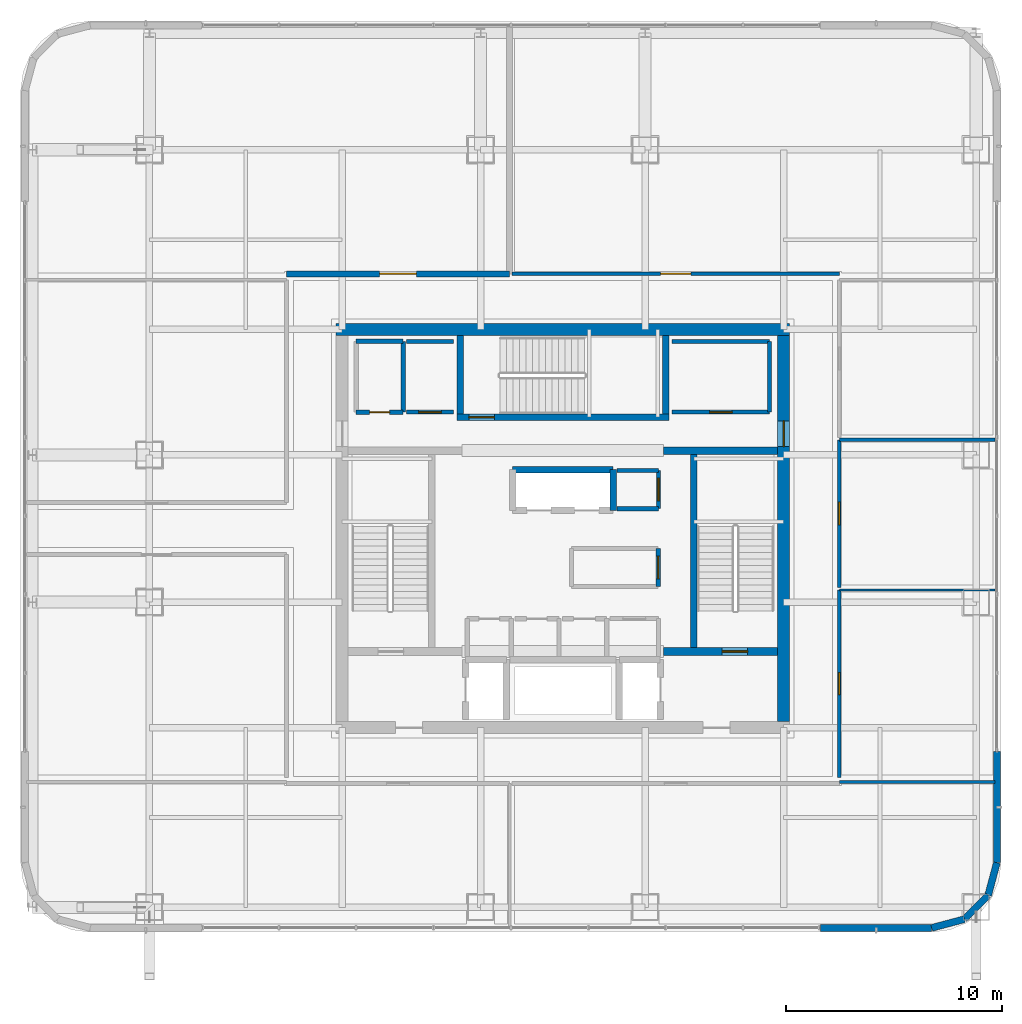
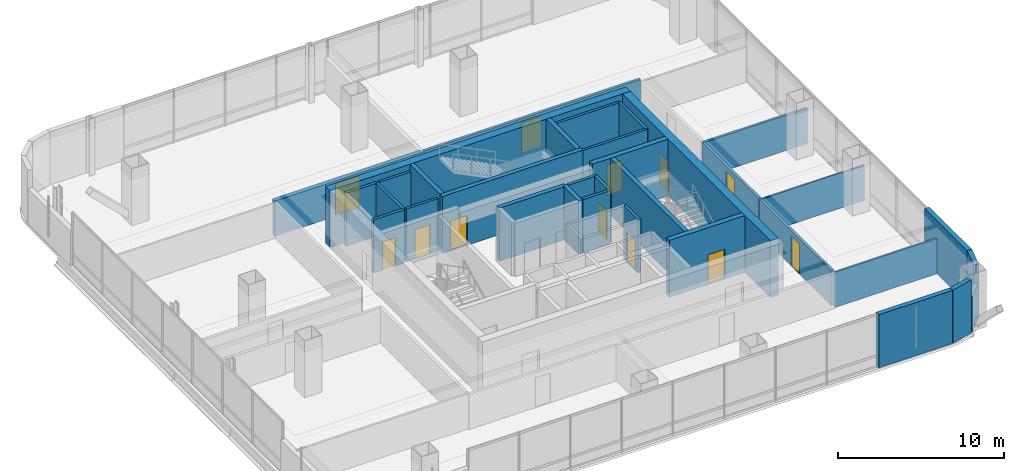
# One storey, part 35 of 51: 34 walls, 12 doors, 12 openings.
"""IFC4 building model written with IfcOpenShell, lengths in metres."""

from ifc_helpers import new_model, si_unit, direction, frame, frame_2d, origin, place, context, subcontext, project, spatial, rectangle, extrude, material, layer, layer_set, type_object, element, fill, save


model = new_model("IFC4")

# Units and contexts
model_context = context("Model", 3, precision=1e-05, world=origin(), true_north=direction((0.0, 1.0)))
body_context = subcontext(model_context, "Body", "Model", "MODEL_VIEW")
ifc_project = project(units=[si_unit("LENGTHUNIT", "METRE"), si_unit("AREAUNIT", "SQUARE_METRE"), si_unit("VOLUMEUNIT", "CUBIC_METRE"), si_unit("PLANEANGLEUNIT", "RADIAN"), si_unit("MASSUNIT", "GRAM", prefix="KILO")], contexts=[model_context])

# Site, building, storey
site_placement = place(None, origin())
site = spatial("IfcSite", under=ifc_project, at=site_placement, CompositionType="ELEMENT")
building_placement = place(site_placement, origin())
building = spatial("IfcBuilding", under=site, at=building_placement, Name="Punatoya Terracotta Tower", CompositionType="ELEMENT")
storey_placement = place(building_placement, frame((0.0, 0.0, 313.199951171875)))
storey = spatial("IfcBuildingStorey", under=building, at=storey_placement, Name="L74", CompositionType="ELEMENT", Elevation=313.199951171875)

# Wall, opening, door
ifc_material_1 = material(Name="Concrete C40/50", Category="concrete")
ifc_layer_1 = layer(ifc_material_1, 0.280029296875)
ifc_layer_set_1 = layer_set([ifc_layer_1], Name="Concrete C40/50")
wall_type_1 = type_object("IfcWallType", Name="WL-AUD-280", PredefinedType="SOLIDWALL", material=ifc_layer_set_1)
wall_1_placement = place(storey_placement, frame((-2.4599609375, 11.77001953125, 0.0), z_axis=(0.0, 0.0, 1.0), x_axis=(-1.0, 0.0, 0.0)))
wall_1 = element("IfcWall", 1, at=wall_1_placement, inside=storey, type_object=wall_type_1, Name="L74 Fitness Movement Lounge Partition 43", PredefinedType="SOLIDWALL", context=body_context, shape_type="SweptSolid", body=[
    extrude(rectangle(XDim=10.31005859375, YDim=0.280029296875, at=frame_2d((5.155029296875, 0.0))), origin(), (0.0, 0.0, 1.0), 2.593994140625),
])
opening_1_placement = place(wall_1_placement, frame((4.304931640625, 0.0, 0.0)))
opening_1 = element("IfcOpeningElement", 2, at=opening_1_placement, cuts=wall_1, Name="Opening FD-D1", PredefinedType="OPENING", context=body_context, shape_type="SweptSolid", body=[
    extrude(rectangle(XDim=1.699951171875, YDim=2.300048828125, at=frame_2d((0.85009765625, 1.14990234375))), frame((0.0, 0.14990234375, 0.0), z_axis=(0.0, -1.0, 0.0), x_axis=(1.0, 0.0, 0.0)), (0.0, 0.0, 1.0), 0.300048828125),
])
ifc_material_2 = material(Name="Timber Teak Veneer Fire Leaf", Category="wood")
door_type_1 = type_object("IfcDoorType", Name="DR-DIN-1700", OperationType="NOTDEFINED", PredefinedType="DOOR", material=ifc_material_2)
door_1_placement = place(opening_1_placement, origin())
door_1 = element("IfcDoor", 3, at=door_1_placement, inside=storey, type_object=door_type_1, Name="L74 Fitness Movement Lounge Fire Door", OperationType="DOUBLE_DOOR_SINGLE_SWING", OverallHeight=2.300048828125, OverallWidth=1.699951171875, PredefinedType="DOOR", context=body_context, shape_type="SweptSolid", body=[
    extrude(rectangle(XDim=1.699951171875, YDim=2.300048828125, at=frame_2d((0.85009765625, 1.14990234375))), frame((0.0, 0.02490234375, 0.0), z_axis=(0.0, -1.0, 0.0), x_axis=(1.0, 0.0, 0.0)), (0.0, 0.0, 1.0), 0.050048828125),
])
fill(opening_1, door_1)

# Wall
ifc_material_3 = material(Name="Concrete C50/60", Category="concrete")
ifc_layer_2 = layer(ifc_material_3, 0.550048828125)
ifc_layer_set_2 = layer_set([ifc_layer_2], Name="Concrete C50/60")
wall_type_2 = type_object("IfcWallType", Name="WL-COR-550", PredefinedType="SHEAR", material=ifc_layer_set_2)
wall_2_placement = place(storey_placement, frame((-10.47509765625, 9.199951171875, 0.0), z_axis=(0.0, 0.0, 1.0), x_axis=(1.0, 0.0, 0.0)))
element("IfcWall", 4, at=wall_2_placement, inside=storey, type_object=wall_type_2, Name="L74 Core Shear Wall N", PredefinedType="SHEAR", context=body_context, shape_type="SweptSolid", body=[
    extrude(rectangle(XDim=20.9501953125, YDim=0.550048828125, at=frame_2d((10.47509765625, 0.0))), origin(), (0.0, 0.0, 1.0), 4.199951171875),
])

# Wall, opening, door
wall_3_placement = place(storey_placement, frame((10.199951171875, 8.925048828125, 0.0), z_axis=(0.0, 0.0, 1.0), x_axis=(0.0, -1.0, 0.0)))
wall_3 = element("IfcWall", 5, at=wall_3_placement, inside=storey, type_object=wall_type_2, Name="L74 Core Shear Wall E", PredefinedType="SHEAR", context=body_context, shape_type="SweptSolid", body=[
    extrude(rectangle(XDim=17.85009765625, YDim=0.550048828125, at=frame_2d((8.925048828125, 0.0))), origin(), (0.0, 0.0, 1.0), 4.199951171875),
])
opening_2_placement = place(wall_3_placement, frame((3.955078125, 0.0, 0.0)))
opening_2 = element("IfcOpeningElement", 6, at=opening_2_placement, cuts=wall_3, Name="Opening SD-01", PredefinedType="OPENING", context=body_context, shape_type="SweptSolid", body=[
    extrude(rectangle(XDim=1.179931640625, YDim=2.199951171875, at=frame_2d((0.58984375, 1.10009765625))), frame((0.0, 0.284912109375, 0.0), z_axis=(0.0, -1.0, 0.0), x_axis=(1.0, 0.0, 0.0)), (0.0, 0.0, 1.0), 0.570068359375),
])
ifc_material_4 = material(Name="Galvanised Steel Pressurized Stair Fire Door", Category="steel")
door_type_2 = type_object("IfcDoorType", Name="DR-STR-1180", OperationType="NOTDEFINED", PredefinedType="DOOR", material=ifc_material_4)
door_2_placement = place(opening_2_placement, origin())
door_2 = element("IfcDoor", 7, at=door_2_placement, inside=storey, type_object=door_type_2, Name="L74 Central Lift Lobby East Fire Door", OperationType="SINGLE_SWING_RIGHT", OverallHeight=2.199951171875, OverallWidth=1.179931640625, PredefinedType="DOOR", context=body_context, shape_type="SweptSolid", body=[
    extrude(rectangle(XDim=1.179931640625, YDim=2.199951171875, at=frame_2d((0.58984375, 1.10009765625))), frame((0.0, 0.02490234375, 0.0), z_axis=(0.0, -1.0, 0.0), x_axis=(1.0, 0.0, 0.0)), (0.0, 0.0, 1.0), 0.050048828125),
])
fill(opening_2, door_2)

# Wall
ifc_material_5 = material(Name="Gypsum Fireboard + Steel Stud", Category="steel")
ifc_layer_3 = layer(ifc_material_5, 0.179931640625)
ifc_layer_set_3 = layer_set([ifc_layer_3], Name="Gypsum Fireboard + Steel Stud")
wall_type_3 = type_object("IfcWallType", Name="WL-CORR-180", PredefinedType="PARTITIONING", material=ifc_layer_set_3)
wall_4_placement = place(storey_placement, frame((-5.050048828125, 8.64990234375, 0.0), z_axis=(0.0, 0.0, 1.0), x_axis=(-1.0, 0.0, 0.0)))
element("IfcWall", 8, at=wall_4_placement, inside=storey, type_object=wall_type_3, Name="L74 West Core Print Room Partition 21", PredefinedType="PARTITIONING", context=body_context, shape_type="SweptSolid", body=[
    extrude(rectangle(XDim=2.169921875, YDim=0.179931640625, at=frame_2d((1.0849609375, 0.0))), origin(), (0.0, 0.0, 1.0), 3.920166015625),
])

# Wall, opening, door
wall_5_placement = place(storey_placement, frame((-7.219970703125, 5.3798828125, 0.0), z_axis=(0.0, 0.0, 1.0), x_axis=(1.0, 0.0, 0.0)))
wall_5 = element("IfcWall", 9, at=wall_5_placement, inside=storey, type_object=wall_type_3, Name="L74 West Core Print Room Partition 22", PredefinedType="PARTITIONING", context=body_context, shape_type="SweptSolid", body=[
    extrude(rectangle(XDim=2.169921875, YDim=0.179931640625, at=frame_2d((1.0849609375, 0.0))), origin(), (0.0, 0.0, 1.0), 3.920166015625),
])
opening_3_placement = place(wall_5_placement, frame((0.56005859375, 0.0, 0.0)))
opening_3 = element("IfcOpeningElement", 10, at=opening_3_placement, cuts=wall_5, Name="Opening OD-01", PredefinedType="OPENING", context=body_context, shape_type="SweptSolid", body=[
    extrude(rectangle(XDim=1.050048828125, YDim=2.199951171875, at=frame_2d((0.52490234375, 1.10009765625))), frame((0.0, 0.099853515625, 0.0), z_axis=(0.0, -1.0, 0.0), x_axis=(1.0, 0.0, 0.0)), (0.0, 0.0, 1.0), 0.199951171875),
])
ifc_material_6 = material(Name="Bengal Teak Solid-Core Leaf")
door_type_3 = type_object("IfcDoorType", Name="DR-OFF-1050", OperationType="NOTDEFINED", PredefinedType="DOOR", material=ifc_material_6)
door_3_placement = place(opening_3_placement, origin())
door_3 = element("IfcDoor", 11, at=door_3_placement, inside=storey, type_object=door_type_3, Name="L74 West Print Room Door", OperationType="SINGLE_SWING_LEFT", OverallHeight=2.199951171875, OverallWidth=1.050048828125, PredefinedType="DOOR", context=body_context, shape_type="SweptSolid", body=[
    extrude(rectangle(XDim=1.050048828125, YDim=2.199951171875, at=frame_2d((0.52490234375, 1.10009765625))), frame((0.0, 0.02490234375, 0.0), z_axis=(0.0, -1.0, 0.0), x_axis=(1.0, 0.0, 0.0)), (0.0, 0.0, 1.0), 0.050048828125),
])
fill(opening_3, door_3)

# Walls
wall_6_placement = place(storey_placement, frame((9.550048828125, 5.3798828125, 0.0), z_axis=(0.0, 0.0, 1.0), x_axis=(0.0, 1.0, 0.0)))
element("IfcWall", 12, at=wall_6_placement, inside=storey, type_object=wall_type_3, Name="L74 East Core Wellness Room Partition 23", PredefinedType="PARTITIONING", context=body_context, shape_type="SweptSolid", body=[
    extrude(rectangle(XDim=3.27001953125, YDim=0.179931640625, at=frame_2d((1.635009765625, 0.0))), origin(), (0.0, 0.0, 1.0), 3.920166015625),
])
wall_7_placement = place(storey_placement, frame((9.550048828125, 8.64990234375, 0.0), z_axis=(0.0, 0.0, 1.0), x_axis=(-1.0, 0.0, 0.0)))
element("IfcWall", 13, at=wall_7_placement, inside=storey, type_object=wall_type_3, Name="L74 East Core Wellness Room Partition 24", PredefinedType="PARTITIONING", context=body_context, shape_type="SweptSolid", body=[
    extrude(rectangle(XDim=4.5, YDim=0.179931640625, at=frame_2d((2.25, 0.0))), origin(), (0.0, 0.0, 1.0), 3.920166015625),
])

# Wall, opening, door
wall_8_placement = place(storey_placement, frame((5.050048828125, 5.3798828125, 0.0), z_axis=(0.0, 0.0, 1.0), x_axis=(1.0, 0.0, 0.0)))
wall_8 = element("IfcWall", 14, at=wall_8_placement, inside=storey, type_object=wall_type_3, Name="L74 East Core Wellness Room Partition 25", PredefinedType="PARTITIONING", context=body_context, shape_type="SweptSolid", body=[
    extrude(rectangle(XDim=4.5, YDim=0.179931640625, at=frame_2d((2.25, 0.0))), origin(), (0.0, 0.0, 1.0), 3.920166015625),
])
opening_4_placement = place(wall_8_placement, frame((1.72509765625, 0.0, 0.0)))
opening_4 = element("IfcOpeningElement", 15, at=opening_4_placement, cuts=wall_8, Name="Opening OD-01", PredefinedType="OPENING", context=body_context, shape_type="SweptSolid", body=[
    extrude(rectangle(XDim=1.050048828125, YDim=2.199951171875, at=frame_2d((0.52490234375, 1.10009765625))), frame((0.0, 0.099853515625, 0.0), z_axis=(0.0, -1.0, 0.0), x_axis=(1.0, 0.0, 0.0)), (0.0, 0.0, 1.0), 0.199951171875),
])
door_4_placement = place(opening_4_placement, origin())
door_4 = element("IfcDoor", 16, at=door_4_placement, inside=storey, type_object=door_type_3, Name="L74 East Wellness Room Door", OperationType="SINGLE_SWING_RIGHT", OverallHeight=2.199951171875, OverallWidth=1.050048828125, PredefinedType="DOOR", context=body_context, shape_type="SweptSolid", body=[
    extrude(rectangle(XDim=1.050048828125, YDim=2.199951171875, at=frame_2d((0.52490234375, 1.10009765625))), frame((0.0, 0.02490234375, 0.0), z_axis=(0.0, -1.0, 0.0), x_axis=(1.0, 0.0, 0.0)), (0.0, 0.0, 1.0), 0.050048828125),
])
fill(opening_4, door_4)

wall_9_placement = place(storey_placement, frame((12.77001953125, -11.489990234375, 0.0), z_axis=(0.0, 0.0, 1.0), x_axis=(0.0, 1.0, 0.0)))
wall_9 = element("IfcWall", 17, at=wall_9_placement, inside=storey, type_object=wall_type_3, Name="L74 Open-Plan Cultural History Classroom Partition 32", PredefinedType="PARTITIONING", context=body_context, shape_type="SweptSolid", body=[
    extrude(rectangle(XDim=8.657958984375, YDim=0.179931640625, at=frame_2d((4.3291015625, 0.0))), origin(), (0.0, 0.0, 1.0), 2.593994140625),
])
opening_5_placement = place(wall_9_placement, frame((3.819091796875, 0.0, 0.0)))
opening_5 = element("IfcOpeningElement", 18, at=opening_5_placement, cuts=wall_9, Name="Opening MD-01", PredefinedType="OPENING", context=body_context, shape_type="SweptSolid", body=[
    extrude(rectangle(XDim=1.02001953125, YDim=2.199951171875, at=frame_2d((0.510009765625, 1.10009765625))), frame((0.0, 0.099853515625, 0.0), z_axis=(0.0, -1.0, 0.0), x_axis=(1.0, 0.0, 0.0)), (0.0, 0.0, 1.0), 0.199951171875),
])
ifc_material_7 = material(Name="Aluminium + Acoustic Glass Leaf", Category="aluminium")
door_type_4 = type_object("IfcDoorType", Name="DR-MTG-1020", OperationType="NOTDEFINED", PredefinedType="DOOR", material=ifc_material_7)
door_5_placement = place(opening_5_placement, origin())
door_5 = element("IfcDoor", 19, at=door_5_placement, inside=storey, type_object=door_type_4, Name="L74 Open-Plan Cultural History Classroom Door", OperationType="SINGLE_SWING_LEFT", OverallHeight=2.199951171875, OverallWidth=1.02001953125, PredefinedType="DOOR", context=body_context, shape_type="SweptSolid", body=[
    extrude(rectangle(XDim=1.02001953125, YDim=2.199951171875, at=frame_2d((0.510009765625, 1.10009765625))), frame((0.0, 0.02490234375, 0.0), z_axis=(0.0, -1.0, 0.0), x_axis=(1.0, 0.0, 0.0)), (0.0, 0.0, 1.0), 0.050048828125),
])
fill(opening_5, door_5)

wall_10_placement = place(storey_placement, frame((12.77001953125, -2.7119140625, 0.0), z_axis=(0.0, 0.0, 1.0), x_axis=(0.0, 1.0, 0.0)))
wall_10 = element("IfcWall", 20, at=wall_10_placement, inside=storey, type_object=wall_type_3, Name="L74 Open-Plan Nutrition Tea Pantry Partition 36", PredefinedType="PARTITIONING", context=body_context, shape_type="SweptSolid", body=[
    extrude(rectangle(XDim=6.809814453125, YDim=0.179931640625, at=frame_2d((3.40478515625, 0.0))), origin(), (0.0, 0.0, 1.0), 2.593994140625),
])
opening_6_placement = place(wall_10_placement, frame((2.8798828125, 0.0, 0.0)))
opening_6 = element("IfcOpeningElement", 21, at=opening_6_placement, cuts=wall_10, Name="Opening OD-01", PredefinedType="OPENING", context=body_context, shape_type="SweptSolid", body=[
    extrude(rectangle(XDim=1.050048828125, YDim=2.199951171875, at=frame_2d((0.52490234375, 1.10009765625))), frame((0.0, 0.099853515625, 0.0), z_axis=(0.0, -1.0, 0.0), x_axis=(1.0, 0.0, 0.0)), (0.0, 0.0, 1.0), 0.199951171875),
])
door_6_placement = place(opening_6_placement, origin())
door_6 = element("IfcDoor", 22, at=door_6_placement, inside=storey, type_object=door_type_3, Name="L74 Open-Plan Nutrition Tea Pantry Door", OperationType="SINGLE_SWING_LEFT", OverallHeight=2.199951171875, OverallWidth=1.050048828125, PredefinedType="DOOR", context=body_context, shape_type="SweptSolid", body=[
    extrude(rectangle(XDim=1.050048828125, YDim=2.199951171875, at=frame_2d((0.52490234375, 1.10009765625))), frame((0.0, 0.02490234375, 0.0), z_axis=(0.0, -1.0, 0.0), x_axis=(1.0, 0.0, 0.0)), (0.0, 0.0, 1.0), 0.050048828125),
])
fill(opening_6, door_6)

wall_11_placement = place(storey_placement, frame((12.77001953125, 11.77001953125, 0.0), z_axis=(0.0, 0.0, 1.0), x_axis=(-1.0, 0.0, 0.0)))
wall_11 = element("IfcWall", 23, at=wall_11_placement, inside=storey, type_object=wall_type_3, Name="L74 Seminar Discussion Room Partition 44", PredefinedType="PARTITIONING", context=body_context, shape_type="SweptSolid", body=[
    extrude(rectangle(XDim=15.110107421875, YDim=0.179931640625, at=frame_2d((7.55517578125, 0.0))), origin(), (0.0, 0.0, 1.0), 2.593994140625),
])
opening_7_placement = place(wall_11_placement, frame((6.85498046875, 0.0, 0.0)))
opening_7 = element("IfcOpeningElement", 24, at=opening_7_placement, cuts=wall_11, Name="Opening BD-01", PredefinedType="OPENING", context=body_context, shape_type="SweptSolid", body=[
    extrude(rectangle(XDim=1.39990234375, YDim=2.25, at=frame_2d((0.699951171875, 1.125))), frame((0.0, 0.099853515625, 0.0), z_axis=(0.0, -1.0, 0.0), x_axis=(1.0, 0.0, 0.0)), (0.0, 0.0, 1.0), 0.199951171875),
])
ifc_material_8 = material(Name="Bengal Teak Acoustic Leaf")
door_type_5 = type_object("IfcDoorType", Name="DR-BRD-1400", OperationType="NOTDEFINED", PredefinedType="DOOR", material=ifc_material_8)
door_7_placement = place(opening_7_placement, origin())
door_7 = element("IfcDoor", 25, at=door_7_placement, inside=storey, type_object=door_type_5, Name="L74 Seminar Discussion Room Door", OperationType="SINGLE_SWING_LEFT", OverallHeight=2.25, OverallWidth=1.39990234375, PredefinedType="DOOR", context=body_context, shape_type="SweptSolid", body=[
    extrude(rectangle(XDim=1.39990234375, YDim=2.25, at=frame_2d((0.699951171875, 1.125))), frame((0.0, 0.02490234375, 0.0), z_axis=(0.0, -1.0, 0.0), x_axis=(1.0, 0.0, 0.0)), (0.0, 0.0, 1.0), 0.050048828125),
])
fill(opening_7, door_7)

# Walls
ifc_material_9 = material(Name="Precast concrete C40/50", Category="concrete")
ifc_layer_4 = layer(ifc_material_9, 0.320068359375)
ifc_layer_set_4 = layer_set([ifc_layer_4], Name="Precast concrete C40/50")
wall_type_4 = type_object("IfcWallType", Name="WL-EXT-320", PredefinedType="SOLIDWALL", material=ifc_layer_set_4)
wall_12_placement = place(storey_placement, frame((11.89990234375, -18.449951171875, 0.0), z_axis=(0.0, 0.0, 1.0), x_axis=(1.0, 0.0, 0.0)))
element("IfcWall", 26, at=wall_12_placement, inside=storey, type_object=wall_type_4, Name="L74 Terracotta Braced Facade Wall S2", PredefinedType="SOLIDWALL", context=body_context, shape_type="SweptSolid", body=[
    extrude(rectangle(XDim=5.136962890625, YDim=0.320068359375, at=frame_2d((2.568359375, 0.0))), origin(), (0.0, 0.0, 1.0), 3.920166015625),
])
wall_13_placement = place(storey_placement, frame((17.036865234375, -18.449951171875, 0.0), z_axis=(0.0, 0.0, 1.0), x_axis=(0.966224582397, 0.257701486942, 0.0)))
element("IfcWall", 27, at=wall_13_placement, inside=storey, type_object=wall_type_4, Name="L74 Rounded Terracotta Corner Pier 02", PredefinedType="SOLIDWALL", context=body_context, shape_type="SweptSolid", body=[
    extrude(rectangle(XDim=1.565185546875, YDim=0.320068359375, at=frame_2d((0.78271484375, 0.0))), origin(), (0.0, 0.0, 1.0), 3.920166015625),
])
wall_14_placement = place(storey_placement, frame((18.549072265625, -18.046630859375, 0.0), z_axis=(0.0, 0.0, 1.0), x_axis=(0.707106781187, 0.707106781187, 0.0)))
element("IfcWall", 28, at=wall_14_placement, inside=storey, type_object=wall_type_4, Name="L74 Rounded Terracotta Corner Pier 03", PredefinedType="SOLIDWALL", context=body_context, shape_type="SweptSolid", body=[
    extrude(rectangle(XDim=1.552001953125, YDim=0.320068359375, at=frame_2d((0.77587890625, 0.0))), origin(), (0.0, 0.0, 1.0), 2.593994140625),
])
wall_15_placement = place(storey_placement, frame((19.646484375, -16.94921875, 0.0), z_axis=(0.0, 0.0, 1.0), x_axis=(0.257847112249, 0.966185730957, 0.0)))
element("IfcWall", 29, at=wall_15_placement, inside=storey, type_object=wall_type_4, Name="L74 Rounded Terracotta Corner Pier 04", PredefinedType="SOLIDWALL", context=body_context, shape_type="SweptSolid", body=[
    extrude(rectangle(XDim=1.565185546875, YDim=0.320068359375, at=frame_2d((0.78271484375, 0.0))), origin(), (0.0, 0.0, 1.0), 3.920166015625),
])
wall_16_placement = place(storey_placement, frame((20.050048828125, -15.43701171875, 0.0), z_axis=(0.0, 0.0, 1.0), x_axis=(0.0, 1.0, 0.0)))
element("IfcWall", 30, at=wall_16_placement, inside=storey, type_object=wall_type_4, Name="L74 Terracotta Braced Facade Wall E1", PredefinedType="SOLIDWALL", context=body_context, shape_type="SweptSolid", body=[
    extrude(rectangle(XDim=5.136962890625, YDim=0.320068359375, at=frame_2d((2.568359375, 0.0))), origin(), (0.0, 0.0, 1.0), 3.920166015625),
])
ifc_material_10 = material(Name="Aluminium Framed Acoustic Glass Partition", Category="aluminium")
ifc_layer_5 = layer(ifc_material_10, 0.10009765625)
ifc_layer_set_5 = layer_set([ifc_layer_5], Name="Aluminium Framed Acoustic Glass Partition")
wall_type_5 = type_object("IfcWallType", Name="WL-GLZ-100", PredefinedType="PARTITIONING", material=ifc_layer_set_5)
wall_17_placement = place(storey_placement, frame((12.77001953125, -2.83203125, 0.0), z_axis=(0.0, 0.0, 1.0), x_axis=(1.0, 0.0, 0.0)))
element("IfcWall", 31, at=wall_17_placement, inside=storey, type_object=wall_type_5, Name="L74 Open-Plan Cultural History Classroom Partition 31", PredefinedType="PARTITIONING", context=body_context, shape_type="SweptSolid", body=[
    extrude(rectangle(XDim=7.199951171875, YDim=0.10009765625, at=frame_2d((3.60009765625, 0.0))), origin(), (0.0, 0.0, 1.0), 2.593994140625),
])

# Wall, opening, door
ifc_layer_6 = layer(ifc_material_1, 0.199951171875)
ifc_layer_set_6 = layer_set([ifc_layer_6], Name="Concrete C40/50")
wall_type_6 = type_object("IfcWallType", Name="WL-INT-200", PredefinedType="SOLIDWALL", material=ifc_layer_set_6)
wall_18_placement = place(storey_placement, frame((4.39990234375, -2.679931640625, 0.0), z_axis=(0.0, 0.0, 1.0), x_axis=(0.0, 1.0, 0.0)))
wall_18 = element("IfcWall", 32, at=wall_18_placement, inside=storey, type_object=wall_type_6, Name="L74 East Core Tea Pantry Partition 10", PredefinedType="SOLIDWALL", context=body_context, shape_type="SweptSolid", body=[
    extrude(rectangle(XDim=1.760009765625, YDim=0.199951171875, at=frame_2d((0.8798828125, 0.0))), origin(), (0.0, 0.0, 1.0), 3.920166015625),
])
opening_8_placement = place(wall_18_placement, frame((0.35498046875, 0.0, 0.0)))
opening_8 = element("IfcOpeningElement", 33, at=opening_8_placement, cuts=wall_18, Name="Opening OD-01", PredefinedType="OPENING", context=body_context, shape_type="SweptSolid", body=[
    extrude(rectangle(XDim=1.050048828125, YDim=2.199951171875, at=frame_2d((0.52490234375, 1.10009765625))), frame((0.0, 0.10986328125, 0.0), z_axis=(0.0, -1.0, 0.0), x_axis=(1.0, 0.0, 0.0)), (0.0, 0.0, 1.0), 0.219970703125),
])
door_8_placement = place(opening_8_placement, origin())
door_8 = element("IfcDoor", 34, at=door_8_placement, inside=storey, type_object=door_type_3, Name="L74 East Tea Pantry Door", OperationType="SINGLE_SWING_RIGHT", OverallHeight=2.199951171875, OverallWidth=1.050048828125, PredefinedType="DOOR", context=body_context, shape_type="SweptSolid", body=[
    extrude(rectangle(XDim=1.050048828125, YDim=2.199951171875, at=frame_2d((0.52490234375, 1.10009765625))), frame((0.0, 0.02490234375, 0.0), z_axis=(0.0, -1.0, 0.0), x_axis=(1.0, 0.0, 0.0)), (0.0, 0.0, 1.0), 0.050048828125),
])
fill(opening_8, door_8)

wall_19_placement = place(storey_placement, frame((4.419921875, 0.919921875, 0.0), z_axis=(0.0, 0.0, 1.0), x_axis=(0.0, 1.0, 0.0)))
wall_19 = element("IfcWall", 35, at=wall_19_placement, inside=storey, type_object=wall_type_6, Name="L74 Executive Steward Pantry Partition 14", PredefinedType="SOLIDWALL", context=body_context, shape_type="SweptSolid", body=[
    extrude(rectangle(XDim=1.760009765625, YDim=0.199951171875, at=frame_2d((0.8798828125, 0.0))), origin(), (0.0, 0.0, 1.0), 3.920166015625),
])
opening_9_placement = place(wall_19_placement, frame((0.35498046875, 0.0, 0.0)))
opening_9 = element("IfcOpeningElement", 36, at=opening_9_placement, cuts=wall_19, Name="Opening OD-01", PredefinedType="OPENING", context=body_context, shape_type="SweptSolid", body=[
    extrude(rectangle(XDim=1.050048828125, YDim=2.199951171875, at=frame_2d((0.52490234375, 1.10009765625))), frame((0.0, 0.10986328125, 0.0), z_axis=(0.0, -1.0, 0.0), x_axis=(1.0, 0.0, 0.0)), (0.0, 0.0, 1.0), 0.219970703125),
])
door_9_placement = place(opening_9_placement, origin())
door_9 = element("IfcDoor", 37, at=door_9_placement, inside=storey, type_object=door_type_3, Name="L74 Executive Steward Pantry Door", OperationType="SINGLE_SWING_LEFT", OverallHeight=2.199951171875, OverallWidth=1.050048828125, PredefinedType="DOOR", context=body_context, shape_type="SweptSolid", body=[
    extrude(rectangle(XDim=1.050048828125, YDim=2.199951171875, at=frame_2d((0.52490234375, 1.10009765625))), frame((0.0, 0.02490234375, 0.0), z_axis=(0.0, -1.0, 0.0), x_axis=(1.0, 0.0, 0.0)), (0.0, 0.0, 1.0), 0.050048828125),
])
fill(opening_9, door_9)

# Walls
for number, where, z_axis, x_axis, name in (
    (38, (4.419921875, 2.679931640625, 0.0), (0.0, 0.0, 1.0), (-1.0, 0.0, 0.0), "L74 Executive Steward Pantry Partition 15"),
    (39, (2.5, 0.919921875, 0.0), (0.0, 0.0, 1.0), (1.0, 0.0, 0.0), "L74 Executive Steward Pantry Partition 16"),
):
    element("IfcWall", number, at=place(storey_placement, frame(where, z_axis=z_axis, x_axis=x_axis)), inside=storey, type_object=wall_type_6, Name=name, PredefinedType="SOLIDWALL", context=body_context, shape_type="SweptSolid", body=[
        extrude(rectangle(XDim=1.919921875, YDim=0.199951171875, at=frame_2d((0.9599609375, 0.0))), origin(), (0.0, 0.0, 1.0), 3.920166015625),
    ])
wall_20_placement = place(storey_placement, frame((-7.3798828125, 5.3798828125, 0.0), z_axis=(0.0, 0.0, 1.0), x_axis=(0.0, 1.0, 0.0)))
element("IfcWall", 40, at=wall_20_placement, inside=storey, type_object=wall_type_6, Name="L74 West Core Archive Vault Partition 17", PredefinedType="SOLIDWALL", context=body_context, shape_type="SweptSolid", body=[
    extrude(rectangle(XDim=3.27001953125, YDim=0.199951171875, at=frame_2d((1.635009765625, 0.0))), origin(), (0.0, 0.0, 1.0), 3.920166015625),
])
wall_21_placement = place(storey_placement, frame((-7.3798828125, 8.64990234375, 0.0), z_axis=(0.0, 0.0, 1.0), x_axis=(-1.0, 0.0, 0.0)))
element("IfcWall", 41, at=wall_21_placement, inside=storey, type_object=wall_type_6, Name="L74 West Core Archive Vault Partition 18", PredefinedType="SOLIDWALL", context=body_context, shape_type="SweptSolid", body=[
    extrude(rectangle(XDim=2.170166015625, YDim=0.199951171875, at=frame_2d((1.0849609375, 0.0))), origin(), (0.0, 0.0, 1.0), 3.920166015625),
])

# Wall, opening, door
wall_22_placement = place(storey_placement, frame((-9.550048828125, 5.3798828125, 0.0), z_axis=(0.0, 0.0, 1.0), x_axis=(1.0, 0.0, 0.0)))
wall_22 = element("IfcWall", 42, at=wall_22_placement, inside=storey, type_object=wall_type_6, Name="L74 West Core Archive Vault Partition 20", PredefinedType="SOLIDWALL", context=body_context, shape_type="SweptSolid", body=[
    extrude(rectangle(XDim=2.170166015625, YDim=0.199951171875, at=frame_2d((1.0849609375, 0.0))), origin(), (0.0, 0.0, 1.0), 3.920166015625),
])
opening_10_placement = place(wall_22_placement, frame((0.625, 0.0, 0.0)))
opening_10 = element("IfcOpeningElement", 43, at=opening_10_placement, cuts=wall_22, Name="Opening FD-R1", PredefinedType="OPENING", context=body_context, shape_type="SweptSolid", body=[
    extrude(rectangle(XDim=0.919921875, YDim=2.10009765625, at=frame_2d((0.4599609375, 1.050048828125))), frame((0.0, 0.10986328125, 0.0), z_axis=(0.0, -1.0, 0.0), x_axis=(1.0, 0.0, 0.0)), (0.0, 0.0, 1.0), 0.219970703125),
])
ifc_material_11 = material(Name="Galvanised Steel Riser Fire Access Door", Category="steel")
door_type_6 = type_object("IfcDoorType", Name="DR-RSR-920", OperationType="NOTDEFINED", PredefinedType="DOOR", material=ifc_material_11)
door_10_placement = place(opening_10_placement, origin())
door_10 = element("IfcDoor", 44, at=door_10_placement, inside=storey, type_object=door_type_6, Name="L74 West Core Archive Vault Fire Door", OperationType="SINGLE_SWING_RIGHT", OverallHeight=2.10009765625, OverallWidth=0.919921875, PredefinedType="DOOR", context=body_context, shape_type="SweptSolid", body=[
    extrude(rectangle(XDim=0.919921875, YDim=2.10009765625, at=frame_2d((0.4599609375, 1.050048828125))), frame((0.0, 0.02490234375, 0.0), z_axis=(0.0, -1.0, 0.0), x_axis=(1.0, 0.0, 0.0)), (0.0, 0.0, 1.0), 0.050048828125),
])
fill(opening_10, door_10)

# Walls
ifc_material_12 = material(Name="Gypsum Partition + Steel Stud", Category="steel")
ifc_layer_7 = layer(ifc_material_12, 0.1201171875)
ifc_layer_set_7 = layer_set([ifc_layer_7], Name="Gypsum Partition + Steel Stud")
wall_type_7 = type_object("IfcWallType", Name="WL-OFF-120", PredefinedType="PARTITIONING", material=ifc_layer_set_7)
wall_23_placement = place(storey_placement, frame((12.77001953125, -11.7099609375, 0.0), z_axis=(0.0, 0.0, 1.0), x_axis=(1.0, 0.0, 0.0)))
element("IfcWall", 45, at=wall_23_placement, inside=storey, type_object=wall_type_7, Name="L74 Open-Plan Occupational Rest Lounge Partition 29", PredefinedType="PARTITIONING", context=body_context, shape_type="SweptSolid", body=[
    extrude(rectangle(XDim=7.199951171875, YDim=0.1201171875, at=frame_2d((3.60009765625, 0.0))), origin(), (0.0, 0.0, 1.0), 2.593994140625),
])
ifc_layer_8 = layer(ifc_material_1, 0.300048828125)
ifc_layer_set_8 = layer_set([ifc_layer_8], Name="Concrete C40/50")
wall_type_8 = type_object("IfcWallType", Name="WL-SHF-300", PredefinedType="SOLIDWALL", material=ifc_layer_set_8)
wall_24_placement = place(storey_placement, frame((6.050048828125, 3.449951171875, 0.0), z_axis=(0.0, 0.0, 1.0), x_axis=(0.0, -1.0, 0.0)))
element("IfcWall", 46, at=wall_24_placement, inside=storey, type_object=wall_type_8, Name="L74 Structural Stair Shaft Wall SW-ST2-W", PredefinedType="SOLIDWALL", context=body_context, shape_type="SweptSolid", body=[
    extrude(rectangle(XDim=8.949951171875, YDim=0.300048828125, at=frame_2d((4.47509765625, 0.0))), origin(), (0.0, 0.0, 1.0), 4.199951171875),
])
for number, where, z_axis, x_axis, name in (
    (47, (-4.75, 5.300048828125, 0.0), (0.0, 0.0, 1.0), (0.0, 1.0, 0.0), "L74 Structural Stair Shaft Wall SW-ST3-W"),
    (48, (4.75, 8.925048828125, 0.0), (0.0, 0.0, 1.0), (0.0, -1.0, 0.0), "L74 Structural Stair Shaft Wall SW-ST3-E"),
):
    element("IfcWall", number, at=place(storey_placement, frame(where, z_axis=z_axis, x_axis=x_axis)), inside=storey, type_object=wall_type_8, Name=name, PredefinedType="SOLIDWALL", context=body_context, shape_type="SweptSolid", body=[
        extrude(rectangle(XDim=3.625, YDim=0.300048828125, at=frame_2d((1.8125, 0.0))), origin(), (0.0, 0.0, 1.0), 4.199951171875),
    ])

# Wall, opening, door
wall_25_placement = place(storey_placement, frame((-4.89990234375, 5.14990234375, 0.0), z_axis=(0.0, 0.0, 1.0), x_axis=(1.0, 0.0, 0.0)))
wall_25 = element("IfcWall", 49, at=wall_25_placement, inside=storey, type_object=wall_type_8, Name="L74 Structural Stair Shaft Wall SW-ST3-S", PredefinedType="SOLIDWALL", context=body_context, shape_type="SweptSolid", body=[
    extrude(rectangle(XDim=9.7998046875, YDim=0.300048828125, at=frame_2d((4.89990234375, 0.0))), origin(), (0.0, 0.0, 1.0), 4.199951171875),
])
opening_11_placement = place(wall_25_placement, frame((0.56005859375, 0.0, 0.0)))
opening_11 = element("IfcOpeningElement", 50, at=opening_11_placement, cuts=wall_25, Name="Opening SD-01", PredefinedType="OPENING", context=body_context, shape_type="SweptSolid", body=[
    extrude(rectangle(XDim=1.179931640625, YDim=2.199951171875, at=frame_2d((0.58984375, 1.10009765625))), frame((0.0, 0.159912109375, 0.0), z_axis=(0.0, -1.0, 0.0), x_axis=(1.0, 0.0, 0.0)), (0.0, 0.0, 1.0), 0.320068359375),
])
door_11_placement = place(opening_11_placement, origin())
door_11 = element("IfcDoor", 51, at=door_11_placement, inside=storey, type_object=door_type_2, Name="L74 Stair ST-3 Core Lobby Fire Door", OperationType="SINGLE_SWING_LEFT", OverallHeight=2.199951171875, OverallWidth=1.179931640625, PredefinedType="DOOR", context=body_context, shape_type="SweptSolid", body=[
    extrude(rectangle(XDim=1.179931640625, YDim=2.199951171875, at=frame_2d((0.58984375, 1.10009765625))), frame((0.0, 0.02490234375, 0.0), z_axis=(0.0, -1.0, 0.0), x_axis=(1.0, 0.0, 0.0)), (0.0, 0.0, 1.0), 0.050048828125),
])
fill(opening_11, door_11)

# Walls
wall_26_placement = place(storey_placement, frame((-2.320068359375, 2.719970703125, 0.0), z_axis=(0.0, 0.0, 1.0), x_axis=(1.0, 0.0, 0.0)))
element("IfcWall", 52, at=wall_26_placement, inside=storey, type_object=wall_type_8, Name="L74 North Lift Bank Rear Shaft Wall", PredefinedType="SOLIDWALL", context=body_context, shape_type="SweptSolid", body=[
    extrude(rectangle(XDim=4.64013671875, YDim=0.300048828125, at=frame_2d((2.320068359375, 0.0))), origin(), (0.0, 0.0, 1.0), 3.920166015625),
])
wall_27_placement = place(storey_placement, frame((2.320068359375, 0.840087890625, 0.0), z_axis=(0.0, 0.0, 1.0), x_axis=(0.0, 1.0, 0.0)))
element("IfcWall", 53, at=wall_27_placement, inside=storey, type_object=wall_type_8, Name="L74 North Lift Bank East End Wall", PredefinedType="SOLIDWALL", context=body_context, shape_type="SweptSolid", body=[
    extrude(rectangle(XDim=1.8798828125, YDim=0.300048828125, at=frame_2d((0.93994140625, 0.0))), origin(), (0.0, 0.0, 1.0), 3.920166015625),
])

# Wall, opening, door
ifc_layer_9 = layer(ifc_material_3, 0.35009765625)
ifc_layer_set_9 = layer_set([ifc_layer_9], Name="Concrete C50/60")
wall_type_9 = type_object("IfcWallType", Name="WL-SHF-350", PredefinedType="SOLIDWALL", material=ifc_layer_set_9)
wall_28_placement = place(storey_placement, frame((4.64990234375, -5.679931640625, 0.0), z_axis=(0.0, 0.0, 1.0), x_axis=(1.0, 0.0, 0.0)))
wall_28 = element("IfcWall", 54, at=wall_28_placement, inside=storey, type_object=wall_type_9, Name="L74 Core Web Wall CSW-R", PredefinedType="SOLIDWALL", context=body_context, shape_type="SweptSolid", body=[
    extrude(rectangle(XDim=5.275146484375, YDim=0.35009765625, at=frame_2d((2.6376953125, 0.0))), origin(), (0.0, 0.0, 1.0), 4.199951171875),
])
opening_12_placement = place(wall_28_placement, frame((2.7099609375, 0.0, 0.0)))
opening_12 = element("IfcOpeningElement", 55, at=opening_12_placement, cuts=wall_28, Name="Opening SD-01", PredefinedType="OPENING", context=body_context, shape_type="SweptSolid", body=[
    extrude(rectangle(XDim=1.179931640625, YDim=2.199951171875, at=frame_2d((0.58984375, 1.10009765625))), frame((0.0, 0.18505859375, 0.0), z_axis=(0.0, -1.0, 0.0), x_axis=(1.0, 0.0, 0.0)), (0.0, 0.0, 1.0), 0.3701171875),
])
door_12_placement = place(opening_12_placement, origin())
door_12 = element("IfcDoor", 56, at=door_12_placement, inside=storey, type_object=door_type_2, Name="L74 Stair ST-2 Smokeproof Lobby Fire Door", OperationType="SINGLE_SWING_RIGHT", OverallHeight=2.199951171875, OverallWidth=1.179931640625, PredefinedType="DOOR", context=body_context, shape_type="SweptSolid", body=[
    extrude(rectangle(XDim=1.179931640625, YDim=2.199951171875, at=frame_2d((0.58984375, 1.10009765625))), frame((0.0, 0.02490234375, 0.0), z_axis=(0.0, -1.0, 0.0), x_axis=(1.0, 0.0, 0.0)), (0.0, 0.0, 1.0), 0.050048828125),
])
fill(opening_12, door_12)

# Walls
wall_29_placement = place(storey_placement, frame((4.64990234375, 3.60009765625, 0.0), z_axis=(0.0, 0.0, 1.0), x_axis=(1.0, 0.0, 0.0)))
element("IfcWall", 57, at=wall_29_placement, inside=storey, type_object=wall_type_9, Name="L74 Core Web Wall CNW-R", PredefinedType="SOLIDWALL", context=body_context, shape_type="SweptSolid", body=[
    extrude(rectangle(XDim=5.275146484375, YDim=0.35009765625, at=frame_2d((2.6376953125, 0.0))), origin(), (0.0, 0.0, 1.0), 4.199951171875),
])
ifc_material_13 = material(Name="Masonry Blockwork + Ceramic Tile", Category="masonry")
ifc_layer_10 = layer(ifc_material_13, 0.159912109375)
ifc_layer_set_10 = layer_set([ifc_layer_10], Name="Masonry Blockwork + Ceramic Tile")
wall_type_10 = type_object("IfcWallType", Name="WL-WET-160", PredefinedType="PARTITIONING", material=ifc_layer_set_10)
wall_30_placement = place(storey_placement, frame((12.77001953125, 4.097900390625, 0.0), z_axis=(0.0, 0.0, 1.0), x_axis=(1.0, 0.0, 0.0)))
element("IfcWall", 58, at=wall_30_placement, inside=storey, type_object=wall_type_10, Name="L74 Open-Plan Nutrition Tea Pantry Partition 35", PredefinedType="PARTITIONING", context=body_context, shape_type="SweptSolid", body=[
    extrude(rectangle(XDim=7.199951171875, YDim=0.159912109375, at=frame_2d((3.60009765625, 0.0))), origin(), (0.0, 0.0, 1.0), 2.593994140625),
])

save(model, "model.ifc")
